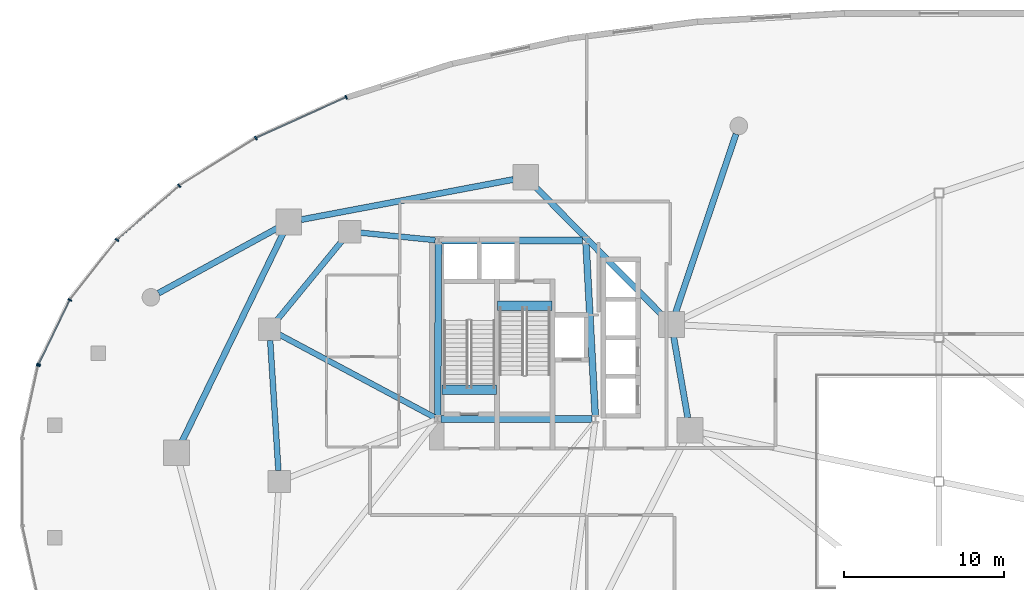
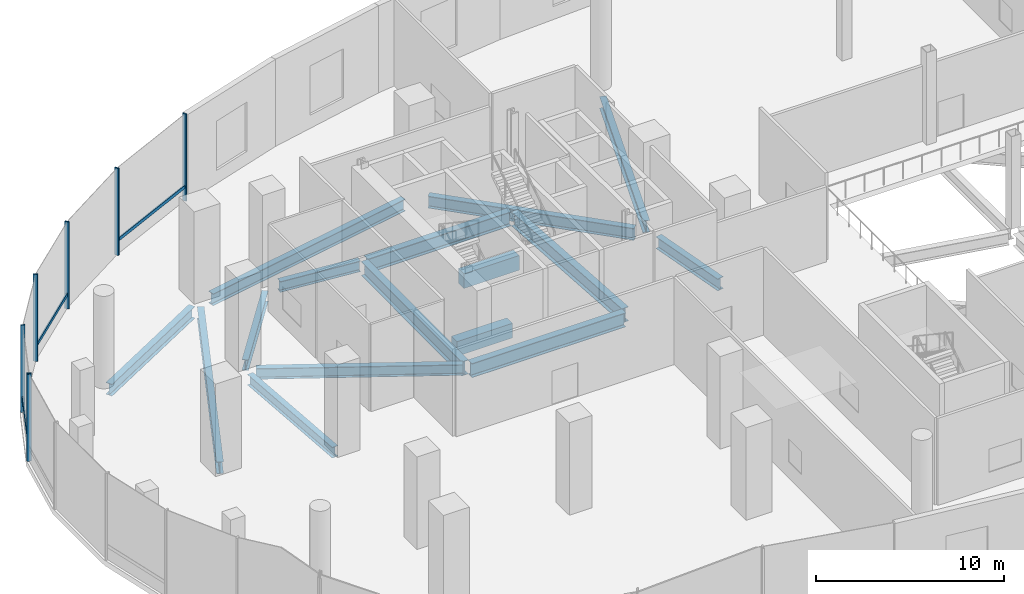
# One storey, part 5 of 20: 16 beams, 10 members, 2 elements without a shape of their own.
"""IFC4 building model written with IfcOpenShell, lengths in metres."""

from ifc_helpers import new_model, si_unit, direction, frame, origin, origin_2d, place, context, subcontext, project, spatial, rectangle, i_section, extrude, material, material_profile, profile_set, type_object, element, aggregate, save


model = new_model("IFC4")

# Units and contexts
model_context = context("Model", 3, precision=1e-05, world=origin(), true_north=direction((0.0, 1.0)))
body_context = subcontext(model_context, "Body", "Model", "MODEL_VIEW")
ifc_project = project(units=[si_unit("LENGTHUNIT", "METRE"), si_unit("AREAUNIT", "SQUARE_METRE"), si_unit("VOLUMEUNIT", "CUBIC_METRE"), si_unit("PLANEANGLEUNIT", "RADIAN"), si_unit("MASSUNIT", "GRAM", prefix="KILO"), si_unit("THERMODYNAMICTEMPERATUREUNIT", "KELVIN"), si_unit("POWERUNIT", "WATT")], contexts=[model_context])

# Site, building, storey
site_placement = place(None, origin())
site = spatial("IfcSite", under=ifc_project, at=site_placement, CompositionType="ELEMENT")
building_placement = place(site_placement, origin())
building = spatial("IfcBuilding", under=site, at=building_placement, Name="Cundina Bronze Exchange", CompositionType="ELEMENT")
storey_placement = place(building_placement, frame((0.0, 0.0, 6.0)))
storey = spatial("IfcBuildingStorey", under=building, at=storey_placement, Name="L01", CompositionType="ELEMENT", Elevation=6.0)

# Beams
ifc_material_1 = material(Name="Concrete C60/75", Category="concrete")
ifc_material_profile_1 = material_profile(ifc_material_1, rectangle(XDim=0.60009765625, YDim=0.949951171875, at=origin_2d()), Name="RC600X950", Category="concrete")
ifc_profile_set_1 = profile_set([ifc_material_profile_1], Name="Concrete C60/75")
beam_type_1 = type_object("IfcBeamType", Name="BM-COUP-RC950", PredefinedType="LINTEL", material=ifc_profile_set_1)
beam_1_placement = place(storey_placement, frame((-31.02001953125, 5.719970703125, -0.47509765625), z_axis=(1.0, 0.0, 0.0), x_axis=(0.0, 1.0, 0.0)))
element("IfcBeam", 1, at=beam_1_placement, inside=storey, type_object=beam_type_1, Name="L01 Stair W1 Landing Header Beam", PredefinedType="LINTEL", context=body_context, shape_type="SweptSolid", body=[
    extrude(rectangle(XDim=0.60009765625, YDim=0.949951171875, at=origin_2d()), origin(), (0.0, 0.0, 1.0), 3.39990234375),
])
beam_2_placement = place(storey_placement, frame((-27.56005859375, 10.97998046875, -0.47509765625), z_axis=(1.0, 0.0, 0.0), x_axis=(0.0, 1.0, 0.0)))
element("IfcBeam", 2, at=beam_2_placement, inside=storey, type_object=beam_type_1, Name="L01 Stair W2 Landing Header Beam", PredefinedType="LINTEL", context=body_context, shape_type="SweptSolid", body=[
    extrude(rectangle(XDim=0.60009765625, YDim=0.949951171875, at=origin_2d()), origin(), (0.0, 0.0, 1.0), 3.400146484375),
])
ifc_material_2 = material(Name="Steel ASTM A992 Grade 50", Category="steel")
ifc_material_profile_2 = material_profile(ifc_material_2, i_section(OverallWidth=0.35498046875, OverallDepth=0.695068359375, WebThickness=0.015380859375, FlangeThickness=0.02490234375, FilletRadius=0.01806640625, at=origin_2d()), Name="W27X146", Category="steel")
ifc_profile_set_2 = profile_set([ifc_material_profile_2], Name="Steel ASTM A992 Grade 50")
beam_type_2 = type_object("IfcBeamType", Name="BM-RING-W27", PredefinedType="USERDEFINED", material=ifc_profile_set_2)
beam_3_placement = place(storey_placement, frame((-31.452880859375, 15.070068359375, -0.697509765625), z_axis=(-0.995123484374, 0.098636964914, 0.0), x_axis=(-0.098636964914, -0.995123484374, 0.0)))
element("IfcBeam", 3, at=beam_3_placement, inside=storey, type_object=beam_type_2, Name="L01 W Inner Structural Ring Girder 01", ObjectType="GIRDER", PredefinedType="USERDEFINED", context=body_context, shape_type="SweptSolid", body=[
    extrude(i_section(OverallWidth=0.35498046875, OverallDepth=0.695068359375, WebThickness=0.015380859375, FlangeThickness=0.02490234375, FilletRadius=0.01806640625, at=origin_2d()), origin(), (0.0, 0.0, 1.0), 4.685546875),
])
beam_4_placement = place(storey_placement, frame((-37.236083984375, 15.06787109375, -0.697509765625), z_axis=(-0.633941925234, -0.773380653644, 0.0), x_axis=(0.773380653644, -0.633941925234, 0.0)))
element("IfcBeam", 4, at=beam_4_placement, inside=storey, type_object=beam_type_2, Name="L01 W Inner Structural Ring Girder 02", ObjectType="GIRDER", PredefinedType="USERDEFINED", context=body_context, shape_type="SweptSolid", body=[
    extrude(i_section(OverallWidth=0.35498046875, OverallDepth=0.695068359375, WebThickness=0.015380859375, FlangeThickness=0.02490234375, FilletRadius=0.01806640625, at=origin_2d()), origin(), (0.0, 0.0, 1.0), 6.511474609375),
])
beam_5_placement = place(storey_placement, frame((-41.756591796875, 8.8134765625, -0.697509765625), z_axis=(0.063020359641, -0.998012241544, 0.0), x_axis=(0.998012241544, 0.063020359641, 0.0)))
element("IfcBeam", 5, at=beam_5_placement, inside=storey, type_object=beam_type_2, Name="L01 W Inner Structural Ring Girder 03", ObjectType="GIRDER", PredefinedType="USERDEFINED", context=body_context, shape_type="SweptSolid", body=[
    extrude(i_section(OverallWidth=0.35498046875, OverallDepth=0.695068359375, WebThickness=0.015380859375, FlangeThickness=0.02490234375, FilletRadius=0.01806640625, at=origin_2d()), origin(), (0.0, 0.0, 1.0), 8.14306640625),
])
beam_6_placement = place(storey_placement, frame((-31.47998046875, 3.99609375, -0.697509765625), z_axis=(-0.882354169055, 0.470585933014, 0.0), x_axis=(-0.470585933014, -0.882354169055, 0.0)))
element("IfcBeam", 6, at=beam_6_placement, inside=storey, type_object=beam_type_2, Name="L01 W Core-to-Waist Tie Beam 2", ObjectType="GIRDER", PredefinedType="USERDEFINED", context=body_context, shape_type="SweptSolid", body=[
    extrude(i_section(OverallWidth=0.35498046875, OverallDepth=0.695068359375, WebThickness=0.015380859375, FlangeThickness=0.02490234375, FilletRadius=0.01806640625, at=origin_2d()), origin(), (0.0, 0.0, 1.0), 11.0078125),
])
ifc_material_profile_3 = material_profile(ifc_material_2, i_section(OverallWidth=0.381103515625, OverallDepth=0.77294921875, WebThickness=0.0166015625, FlangeThickness=0.027099609375, FilletRadius=0.01904296875, at=origin_2d()), Name="W30X173", Category="steel")
ifc_profile_set_3 = profile_set([ifc_material_profile_3], Name="Steel ASTM A992 Grade 50")
beam_type_3 = type_object("IfcBeamType", Name="BM-RING-W30", PredefinedType="USERDEFINED", material=ifc_profile_set_3)
beam_7_placement = place(storey_placement, frame((-48.727783203125, 11.758056640625, -0.736572265625), z_axis=(0.877507733759, 0.479562485182, 0.0), x_axis=(-0.479562485182, 0.877507733759, 0.0)))
element("IfcBeam", 7, at=beam_7_placement, inside=storey, type_object=beam_type_3, Name="L01 Podium Colonnade Tie Beam 01", ObjectType="GIRDER", PredefinedType="USERDEFINED", context=body_context, shape_type="SweptSolid", body=[
    extrude(i_section(OverallWidth=0.381103515625, OverallDepth=0.77294921875, WebThickness=0.0166015625, FlangeThickness=0.027099609375, FilletRadius=0.01904296875, at=origin_2d()), origin(), (0.0, 0.0, 1.0), 8.474365234375),
])
beam_8_placement = place(storey_placement, frame((-12.672607421875, 21.6904296875, -0.736572265625), z_axis=(-0.320811837352, -0.947142948564, 0.0), x_axis=(0.947142948564, -0.320811837352, 0.0)))
element("IfcBeam", 8, at=beam_8_placement, inside=storey, type_object=beam_type_3, Name="L01 Podium Colonnade Tie Beam 03", ObjectType="GIRDER", PredefinedType="USERDEFINED", context=body_context, shape_type="SweptSolid", body=[
    extrude(i_section(OverallWidth=0.381103515625, OverallDepth=0.77294921875, WebThickness=0.0166015625, FlangeThickness=0.027099609375, FilletRadius=0.01904296875, at=origin_2d()), origin(), (0.0, 0.0, 1.0), 11.765869140625),
])
beam_9_placement = place(storey_placement, frame((-15.685302734375, 3.976318359375, -0.736572265625), z_axis=(-0.171642817546, 0.985159247627, 0.0), x_axis=(-0.985159247627, -0.171642817546, 0.0)))
element("IfcBeam", 9, at=beam_9_placement, inside=storey, type_object=beam_type_3, Name="L01 W Podium Ring Girder 00", ObjectType="GIRDER", PredefinedType="USERDEFINED", context=body_context, shape_type="SweptSolid", body=[
    extrude(i_section(OverallWidth=0.381103515625, OverallDepth=0.77294921875, WebThickness=0.0166015625, FlangeThickness=0.027099609375, FilletRadius=0.01904296875, at=origin_2d()), origin(), (0.0, 0.0, 1.0), 5.123291015625),
])
beam_10_placement = place(storey_placement, frame((-17.254150390625, 10.360107421875, -0.736572265625), z_axis=(-0.703229241487, 0.710963173391, 0.0), x_axis=(-0.710963173391, -0.703229241487, 0.0)))
element("IfcBeam", 10, at=beam_10_placement, inside=storey, type_object=beam_type_3, Name="L01 W Podium Ring Girder 02", ObjectType="GIRDER", PredefinedType="USERDEFINED", context=body_context, shape_type="SweptSolid", body=[
    extrude(i_section(OverallWidth=0.381103515625, OverallDepth=0.77294921875, WebThickness=0.0166015625, FlangeThickness=0.027099609375, FilletRadius=0.01904296875, at=origin_2d()), origin(), (0.0, 0.0, 1.0), 11.3642578125),
])
beam_11_placement = place(storey_placement, frame((-26.57421875, 18.853515625, -0.736572265625), z_axis=(-0.982569620145, -0.185894974562, 0.0), x_axis=(0.185894974562, -0.982569620145, 0.0)))
element("IfcBeam", 11, at=beam_11_placement, inside=storey, type_object=beam_type_3, Name="L01 W Podium Ring Girder 04", ObjectType="GIRDER", PredefinedType="USERDEFINED", context=body_context, shape_type="SweptSolid", body=[
    extrude(i_section(OverallWidth=0.381103515625, OverallDepth=0.77294921875, WebThickness=0.0166015625, FlangeThickness=0.027099609375, FilletRadius=0.01904296875, at=origin_2d()), origin(), (0.0, 0.0, 1.0), 13.486572265625),
])
beam_12_placement = place(storey_placement, frame((-40.944580078125, 15.4912109375, -0.736572265625), z_axis=(-0.437200307007, -0.899364159589, 0.0), x_axis=(0.899364159589, -0.437200307007, 0.0)))
element("IfcBeam", 12, at=beam_12_placement, inside=storey, type_object=beam_type_3, Name="L01 W Podium Ring Girder 06", ObjectType="GIRDER", PredefinedType="USERDEFINED", context=body_context, shape_type="SweptSolid", body=[
    extrude(i_section(OverallWidth=0.381103515625, OverallDepth=0.77294921875, WebThickness=0.0166015625, FlangeThickness=0.027099609375, FilletRadius=0.01904296875, at=origin_2d()), origin(), (0.0, 0.0, 1.0), 14.43505859375),
])
ifc_material_profile_4 = material_profile(ifc_material_2, i_section(OverallWidth=0.41796875, OverallDepth=0.927001953125, WebThickness=0.019287109375, FlangeThickness=0.031982421875, FilletRadius=0.02392578125, at=origin_2d()), Name="W36X231", Category="steel")
ifc_profile_set_4 = profile_set([ifc_material_profile_4], Name="Steel ASTM A992 Grade 50")
beam_type_4 = type_object("IfcBeamType", Name="BM-WRN-W36B", PredefinedType="USERDEFINED", material=ifc_profile_set_4)
beam_13_placement = place(storey_placement, frame((-31.095947265625, 3.89990234375, -0.8134765625), z_axis=(1.0, 0.0, 0.0), x_axis=(0.0, 1.0, 0.0)))
element("IfcBeam", 13, at=beam_13_placement, inside=storey, type_object=beam_type_4, Name="L01 W Core Perimeter Tie Girder 1", ObjectType="GIRDER", PredefinedType="USERDEFINED", context=body_context, shape_type="SweptSolid", body=[
    extrude(i_section(OverallWidth=0.41796875, OverallDepth=0.927001953125, WebThickness=0.019287109375, FlangeThickness=0.031982421875, FilletRadius=0.02392578125, at=origin_2d()), origin(), (0.0, 0.0, 1.0), 9.44189453125),
])
beam_14_placement = place(storey_placement, frame((-21.4609375, 4.103759765625, -0.8134765625), z_axis=(-0.053739193498, 0.998555005537, 0.0), x_axis=(-0.998555005537, -0.053739193498, 0.0)))
element("IfcBeam", 14, at=beam_14_placement, inside=storey, type_object=beam_type_4, Name="L01 W Core Perimeter Tie Girder 2", ObjectType="GIRDER", PredefinedType="USERDEFINED", context=body_context, shape_type="SweptSolid", body=[
    extrude(i_section(OverallWidth=0.41796875, OverallDepth=0.927001953125, WebThickness=0.019287109375, FlangeThickness=0.031982421875, FilletRadius=0.02392578125, at=origin_2d()), origin(), (0.0, 0.0, 1.0), 10.758056640625),
])
beam_15_placement = place(storey_placement, frame((-22.25390625, 15.050048828125, -0.8134765625), z_axis=(-1.0, 0.0, 0.0), x_axis=(0.0, -1.0, 0.0)))
element("IfcBeam", 15, at=beam_15_placement, inside=storey, type_object=beam_type_4, Name="L01 W Core Perimeter Tie Girder 3", ObjectType="GIRDER", PredefinedType="USERDEFINED", context=body_context, shape_type="SweptSolid", body=[
    extrude(i_section(OverallWidth=0.41796875, OverallDepth=0.927001953125, WebThickness=0.019287109375, FlangeThickness=0.031982421875, FilletRadius=0.02392578125, at=origin_2d()), origin(), (0.0, 0.0, 1.0), 8.7919921875),
])
beam_16_placement = place(storey_placement, frame((-31.2509765625, 14.845947265625, -0.8134765625), z_axis=(-0.004477329608, -0.99998997671, 0.0), x_axis=(0.99998997671, -0.004477329608, 0.0)))
element("IfcBeam", 16, at=beam_16_placement, inside=storey, type_object=beam_type_4, Name="L01 W Core Perimeter Tie Girder 4", ObjectType="GIRDER", PredefinedType="USERDEFINED", context=body_context, shape_type="SweptSolid", body=[
    extrude(i_section(OverallWidth=0.41796875, OverallDepth=0.927001953125, WebThickness=0.019287109375, FlangeThickness=0.031982421875, FilletRadius=0.02392578125, at=origin_2d()), origin(), (0.0, 0.0, 1.0), 10.741943359375),
])

# Curtain wall, members
ifc_material_3 = material(Name="Anodised Bronze Aluminium 6063-T6", Category="aluminium")
curtain_wall_type = type_object("IfcCurtainWallType", Name="CWS-POD-CONC", PredefinedType="NOTDEFINED", material=ifc_material_3)
curtain_wall_1_placement = place(storey_placement, origin())
curtain_wall_1 = element("IfcCurtainWall", 17, at=curtain_wall_1_placement, inside=storey, type_object=curtain_wall_type, Name="L01 CW-01 Curtain Wall Run CWR-L01-03", PredefinedType="NOTDEFINED")
ifc_material_profile_5 = material_profile(ifc_material_3, rectangle(XDim=0.0849609375, YDim=0.25, at=origin_2d()), Name="AL85X250", Category="aluminium")
ifc_profile_set_5 = profile_set([ifc_material_profile_5], Name="Anodised Bronze Aluminium 6063-T6")
member_type_1 = type_object("IfcMemberType", Name="CWM-MUL-250", PredefinedType="MULLION", material=ifc_profile_set_5)
member_1_placement = place(storey_placement, frame((-37.013671875, 23.990478515625, 0.0), z_axis=(0.0, 0.0, 1.0), x_axis=(-0.911618620107, -0.411037092578, 0.0)))
member_1 = element("IfcMember", 18, at=member_1_placement, type_object=member_type_1, Name="CW-01 Mullion 1", PredefinedType="MULLION", context=body_context, shape_type="SweptSolid", body=[
    extrude(rectangle(XDim=0.0849609375, YDim=0.25, at=origin_2d()), origin(), (0.0, 0.0, 1.0), 5.64990234375),
])
member_2_placement = place(storey_placement, frame((-42.654052734375, 21.4404296875, 0.0), z_axis=(0.0, 0.0, 1.0), x_axis=(-0.849248260906, -0.527993741769, 0.0)))
member_2 = element("IfcMember", 19, at=member_2_placement, type_object=member_type_1, Name="CW-01 Mullion 2", PredefinedType="MULLION", context=body_context, shape_type="SweptSolid", body=[
    extrude(rectangle(XDim=0.0849609375, YDim=0.25, at=origin_2d()), origin(), (0.0, 0.0, 1.0), 5.64990234375),
])
member_3_placement = place(storey_placement, frame((-47.43701171875, 18.45849609375, 0.0), z_axis=(0.0, 0.0, 1.0), x_axis=(-0.755510544084, -0.6551364879, 0.0)))
member_3 = element("IfcMember", 20, at=member_3_placement, type_object=member_type_1, Name="CW-01 Mullion 3", PredefinedType="MULLION", context=body_context, shape_type="SweptSolid", body=[
    extrude(rectangle(XDim=0.0849609375, YDim=0.25, at=origin_2d()), origin(), (0.0, 0.0, 1.0), 5.64990234375),
])
member_4_placement = place(storey_placement, frame((-51.320068359375, 15.08056640625, 0.0), z_axis=(0.0, 0.0, 1.0), x_axis=(-0.61950505541, -0.784992666412, 0.0)))
member_4 = element("IfcMember", 21, at=member_4_placement, type_object=member_type_1, Name="CW-01 Mullion 4", PredefinedType="MULLION", context=body_context, shape_type="SweptSolid", body=[
    extrude(rectangle(XDim=0.0849609375, YDim=0.25, at=origin_2d()), origin(), (0.0, 0.0, 1.0), 5.64990234375),
])
member_5_placement = place(storey_placement, frame((-54.263427734375, 11.335205078125, 0.0), z_axis=(0.0, 0.0, 1.0), x_axis=(-0.435702445497, -0.900090761528, 0.0)))
member_5 = element("IfcMember", 22, at=member_5_placement, type_object=member_type_1, Name="CW-01 Mullion 5", PredefinedType="MULLION", context=body_context, shape_type="SweptSolid", body=[
    extrude(rectangle(XDim=0.0849609375, YDim=0.25, at=origin_2d()), origin(), (0.0, 0.0, 1.0), 5.64990234375),
])
member_6_placement = place(storey_placement, frame((-56.211669921875, 7.311279296875, 0.0), z_axis=(0.0, 0.0, 1.0), x_axis=(-0.435702445497, -0.900090761528, 0.0)))
member_6 = element("IfcMember", 23, at=member_6_placement, type_object=member_type_1, Name="CW-01 End Mullion", PredefinedType="MULLION", context=body_context, shape_type="SweptSolid", body=[
    extrude(rectangle(XDim=0.0849609375, YDim=0.25, at=origin_2d()), origin(), (0.0, 0.0, 1.0), 5.64990234375),
])

# Curtain wall, member
curtain_wall_2_placement = place(storey_placement, origin())
curtain_wall_2 = element("IfcCurtainWall", 24, at=curtain_wall_2_placement, inside=storey, type_object=curtain_wall_type, Name="L01 CW-01 Curtain Wall Run CWR-L01-04", PredefinedType="NOTDEFINED")
member_7_placement = place(storey_placement, frame((-56.239013671875, 7.231689453125, 0.0), z_axis=(0.0, 0.0, 1.0), x_axis=(-0.214564862428, -0.976709741843, 0.0)))
member_7 = element("IfcMember", 25, at=member_7_placement, type_object=member_type_1, Name="CW-01 Mullion 1", PredefinedType="MULLION", context=body_context, shape_type="SweptSolid", body=[
    extrude(rectangle(XDim=0.0849609375, YDim=0.25, at=origin_2d()), origin(), (0.0, 0.0, 1.0), 5.64990234375),
])
aggregate(curtain_wall_2, [member_7])

# Member
ifc_material_profile_6 = material_profile(ifc_material_3, rectangle(XDim=0.080078125, YDim=0.2099609375, at=origin_2d()), Name="AL80X210", Category="aluminium")
ifc_profile_set_6 = profile_set([ifc_material_profile_6], Name="Anodised Bronze Aluminium 6063-T6")
member_type_2 = type_object("IfcMemberType", Name="CWM-TRN-210", PredefinedType="USERDEFINED", material=ifc_profile_set_6)
member_8_placement = place(storey_placement, frame((-37.056396484375, 23.97119140625, 0.919921875), z_axis=(-0.911641535198, -0.410986266561, 0.0), x_axis=(0.410986266561, -0.911641535198, 0.0)))
member_8 = element("IfcMember", 26, at=member_8_placement, type_object=member_type_2, Name="CW-01 Spandrel Transom 1", ObjectType="TRANSOM", PredefinedType="USERDEFINED", context=body_context, shape_type="SweptSolid", body=[
    extrude(rectangle(XDim=0.080078125, YDim=0.2099609375, at=origin_2d()), origin(), (0.0, 0.0, 1.0), 6.090576171875),
])

member_9_placement = place(storey_placement, frame((-47.472412109375, 18.427734375, 0.919921875), z_axis=(-0.755563201238, -0.655075758164, 0.0), x_axis=(0.655075758164, -0.755563201238, 0.0)))
member_9 = element("IfcMember", 27, at=member_9_placement, type_object=member_type_2, Name="CW-01 Spandrel Transom 3", ObjectType="TRANSOM", PredefinedType="USERDEFINED", context=body_context, shape_type="SweptSolid", body=[
    extrude(rectangle(XDim=0.080078125, YDim=0.2099609375, at=origin_2d()), origin(), (0.0, 0.0, 1.0), 5.055908203125),
])

member_10_placement = place(storey_placement, frame((-54.28369140625, 11.293212890625, 0.919921875), z_axis=(-0.435776682523, -0.900054822202, 0.0), x_axis=(0.900054822202, -0.435776682523, 0.0)))
member_10 = element("IfcMember", 28, at=member_10_placement, type_object=member_type_2, Name="CW-01 Spandrel Transom 5", ObjectType="TRANSOM", PredefinedType="USERDEFINED", context=body_context, shape_type="SweptSolid", body=[
    extrude(rectangle(XDim=0.080078125, YDim=0.2099609375, at=origin_2d()), origin(), (0.0, 0.0, 1.0), 4.377197265625),
])

aggregate(curtain_wall_1, [member_1, member_8, member_2, member_3, member_9, member_4, member_5, member_6, member_10])

save(model, "model.ifc")
